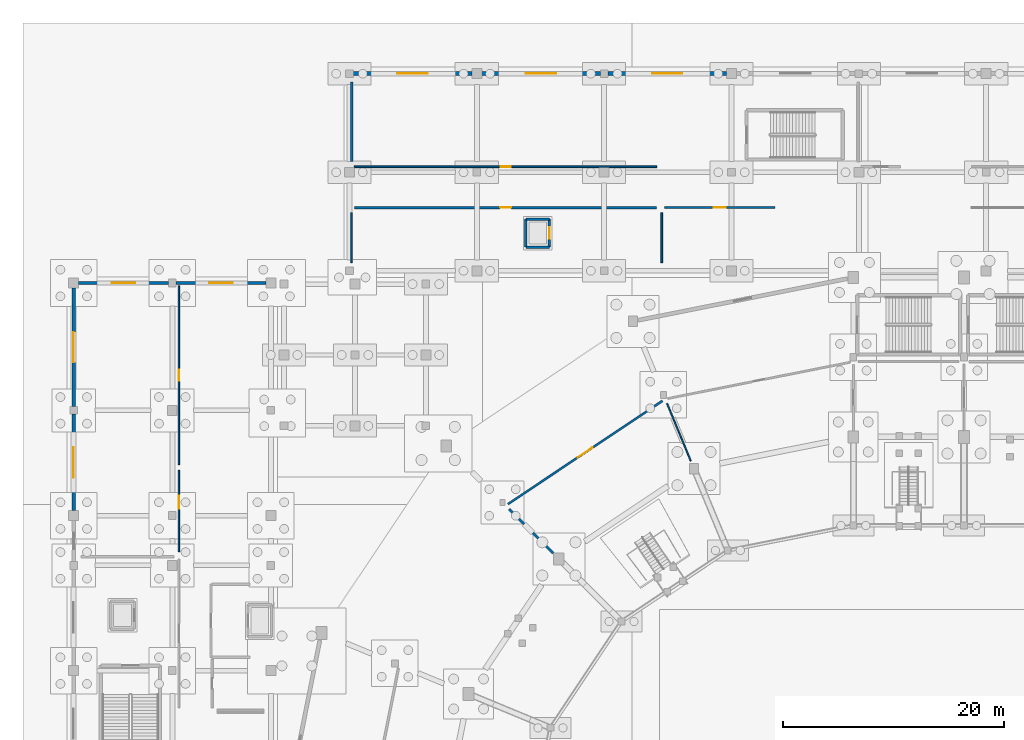
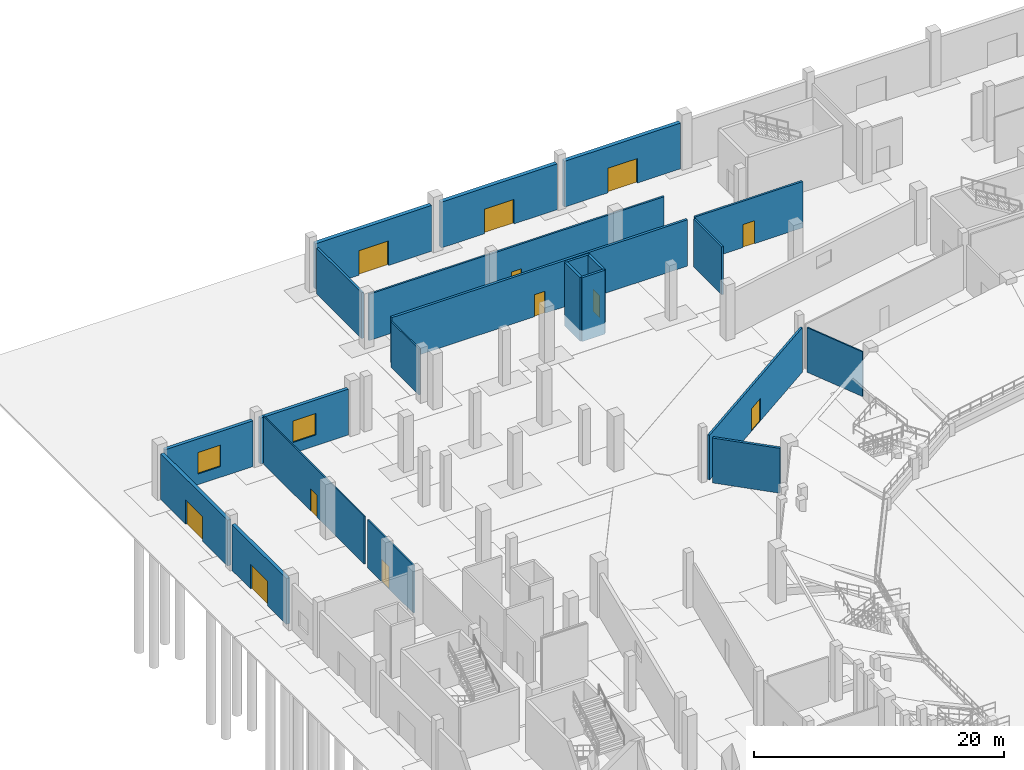
# One storey, part 37 of 68: 22 walls, 12 doors, 2 windows, 14 openings.
"""IFC4 building model written with IfcOpenShell, lengths in metres."""

from ifc_helpers import new_model, si_unit, direction, frame, frame_2d, origin, place, context, subcontext, project, spatial, rectangle, extrude, material, layer, layer_set, type_object, element, fill, save


model = new_model("IFC4")

# Units and contexts
model_context = context("Model", 3, precision=1e-05, world=origin(), true_north=direction((0.0, 1.0)))
body_context = subcontext(model_context, "Body", "Model", "MODEL_VIEW")
ifc_project = project(units=[si_unit("LENGTHUNIT", "METRE"), si_unit("AREAUNIT", "SQUARE_METRE"), si_unit("VOLUMEUNIT", "CUBIC_METRE"), si_unit("PLANEANGLEUNIT", "RADIAN"), si_unit("MASSUNIT", "GRAM", prefix="KILO")], contexts=[model_context])

# Site, building, storey
site_placement = place(None, origin())
site = spatial("IfcSite", under=ifc_project, at=site_placement, CompositionType="ELEMENT")
building_placement = place(site_placement, origin())
building = spatial("IfcBuilding", under=site, at=building_placement, Name="Candeia Ridge Stadium", CompositionType="ELEMENT")
storey_placement = place(building_placement, origin())
storey = spatial("IfcBuildingStorey", under=building, at=storey_placement, Name="L00", CompositionType="ELEMENT", Elevation=0.0)

# Wall, opening, door
ifc_material_1 = material(Name="Concrete Masonry Blockwork C25/30", Category="masonry")
ifc_layer_1 = layer(ifc_material_1, 0.14990234375, Name="Concrete Masonry Blockwork C25/30", Category="masonry")
ifc_layer_set_1 = layer_set([ifc_layer_1], Name="Concrete Masonry Blockwork C25/30")
wall_type_1 = type_object("IfcWallType", Name="Concourse Kiosk Partition 150", PredefinedType="PARTITIONING", material=ifc_layer_set_1)
wall_1_placement = place(storey_placement, frame((10.10009765625, 129.570068359375, 0.0), z_axis=(0.0, 0.0, 1.0), x_axis=(0.0, -1.0, 0.0)))
wall_1 = element("IfcWall", 1, at=wall_1_placement, inside=storey, type_object=wall_type_1, Name="Interior partition PT-L00-0020", PredefinedType="PARTITIONING", context=body_context, shape_type="SweptSolid", body=[
    extrude(rectangle(XDim=7.338134765625, YDim=0.14990234375, at=frame_2d((3.6689453125, 0.0))), origin(), (0.0, 0.0, 1.0), 4.66796875),
])
opening_1_placement = place(wall_1_placement, frame((2.2939453125, 0.0, 0.0)))
opening_1 = element("IfcOpeningElement", 2, at=opening_1_placement, cuts=wall_1, Name="Opening ID02", PredefinedType="OPENING", context=body_context, shape_type="SweptSolid", body=[
    extrude(rectangle(XDim=1.14990234375, YDim=2.199951171875, at=frame_2d((0.574951171875, 1.10009765625))), frame((0.0, 0.0849609375, 0.0), z_axis=(0.0, -1.0, 0.0), x_axis=(1.0, 0.0, 0.0)), (0.0, 0.0, 1.0), 0.169921875),
])
ifc_material_2 = material(Name="Acoustic Timber Studio Leaf", Category="wood")
door_type_1 = type_object("IfcDoorType", Name="Broadcast & Press Studio Door 1150x2200", OperationType="NOTDEFINED", PredefinedType="DOOR", material=ifc_material_2)
door_1_placement = place(opening_1_placement, frame((1.14990234375, 0.0, 0.0), z_axis=(0.0, 0.0, 1.0), x_axis=(-1.0, 0.0, 0.0)))
door_1 = element("IfcDoor", 3, at=door_1_placement, inside=storey, type_object=door_type_1, Name="Interior room door D-L00-0011", OperationType="SINGLE_SWING_RIGHT", OverallHeight=2.199951171875, OverallWidth=1.14990234375, PredefinedType="DOOR", context=body_context, shape_type="SweptSolid", body=[
    extrude(rectangle(XDim=1.14990234375, YDim=2.199951171875, at=frame_2d((0.574951171875, 1.10009765625))), frame((0.0, 0.02490234375, 0.0), z_axis=(0.0, -1.0, 0.0), x_axis=(1.0, 0.0, 0.0)), (0.0, 0.0, 1.0), 0.050048828125),
])
fill(opening_1, door_1)

ifc_material_3 = material(Name="Moisture-Resistant Masonry & Tile", Category="masonry")
ifc_layer_2 = layer(ifc_material_3, 0.22998046875, Name="Moisture-Resistant Masonry & Tile", Category="masonry")
ifc_layer_set_2 = layer_set([ifc_layer_2], Name="Moisture-Resistant Masonry & Tile")
wall_type_2 = type_object("IfcWallType", Name="Dressing Suite Wet-Wall Chase 230", PredefinedType="PLUMBINGWALL", material=ifc_layer_set_2)
wall_2_placement = place(storey_placement, frame((25.949951171875, 153.300048828125, 0.0), z_axis=(0.0, 0.0, 1.0), x_axis=(1.0, 0.0, 0.0)))
wall_2 = element("IfcWall", 4, at=wall_2_placement, inside=storey, type_object=wall_type_2, Name="Interior partition PT-L00-0083", PredefinedType="PLUMBINGWALL", context=body_context, shape_type="SweptSolid", body=[
    extrude(rectangle(XDim=27.300048828125, YDim=0.22998046875, at=frame_2d((13.64990234375, 0.0))), origin(), (0.0, 0.0, 1.0), 4.52490234375),
])
opening_2_placement = place(wall_2_placement, frame((13.14990234375, 0.0, 0.0)))
opening_2 = element("IfcOpeningElement", 5, at=opening_2_placement, cuts=wall_2, Name="Opening ID04", PredefinedType="OPENING", context=body_context, shape_type="SweptSolid", body=[
    extrude(rectangle(XDim=1.0, YDim=2.14990234375, at=frame_2d((0.5, 1.074951171875))), frame((0.0, 0.125, 0.0), z_axis=(0.0, -1.0, 0.0), x_axis=(1.0, 0.0, 0.0)), (0.0, 0.0, 1.0), 0.25),
])
ifc_material_4 = material(Name="Powder-Coated Hollow Metal", Category="steel")
door_type_2 = type_object("IfcDoorType", Name="Concourse Kiosk Service Door 1000x2150", OperationType="NOTDEFINED", PredefinedType="DOOR", material=ifc_material_4)
door_2_placement = place(opening_2_placement, origin())
door_2 = element("IfcDoor", 6, at=door_2_placement, inside=storey, type_object=door_type_2, Name="Interior room door D-L00-0045", OperationType="SINGLE_SWING_RIGHT", OverallHeight=2.14990234375, OverallWidth=1.0, PredefinedType="DOOR", context=body_context, shape_type="SweptSolid", body=[
    extrude(rectangle(XDim=1.0, YDim=2.14990234375, at=frame_2d((0.5, 1.074951171875))), frame((0.0, 0.02490234375, 0.0), z_axis=(0.0, -1.0, 0.0), x_axis=(1.0, 0.0, 0.0)), (0.0, 0.0, 1.0), 0.050048828125),
])
fill(opening_2, door_2)

# Wall
wall_3_placement = place(storey_placement, frame((43.882568359375, 122.117431640625, 0.0), z_axis=(0.0, 0.0, 1.0), x_axis=(-0.707106781187, 0.707106781187, 0.0)))
element("IfcWall", 7, at=wall_3_placement, inside=storey, type_object=wall_type_2, Name="Demising partition PT-L00-0129", PredefinedType="PLUMBINGWALL", context=body_context, shape_type="SweptSolid", body=[
    extrude(rectangle(XDim=5.600341796875, YDim=0.22998046875, at=frame_2d((2.80029296875, 0.0))), origin(), (0.0, 0.0, 1.0), 4.385009765625),
])

# Wall, opening, door
ifc_material_5 = material(Name="Concrete C40/50", Category="concrete")
ifc_layer_3 = layer(ifc_material_5, 0.360107421875, Name="Concrete C40/50", Category="concrete")
ifc_layer_set_3 = layer_set([ifc_layer_3], Name="Concrete C40/50")
wall_type_3 = type_object("IfcWallType", Name="Exterior Basalt Plinth Wall 360", PredefinedType="SOLIDWALL", material=ifc_layer_set_3)
wall_4_placement = place(storey_placement, frame((25.837890625, 165.39990234375, 0.0), z_axis=(0.0, 0.0, 1.0), x_axis=(1.0, 0.0, 0.0)))
wall_4 = element("IfcWall", 8, at=wall_4_placement, inside=storey, type_object=wall_type_3, Name="Exterior facade wall EW-L00-0188", PredefinedType="SOLIDWALL", context=body_context, shape_type="SweptSolid", body=[
    extrude(rectangle(XDim=10.72412109375, YDim=0.360107421875, at=frame_2d((5.362060546875, 0.0))), origin(), (0.0, 0.0, 1.0), 4.47509765625),
])
opening_3_placement = place(wall_4_placement, frame((3.987060546875, 0.0, 0.0)))
opening_3 = element("IfcOpeningElement", 9, at=opening_3_placement, cuts=wall_4, Name="Opening ED01", PredefinedType="OPENING", context=body_context, shape_type="SweptSolid", body=[
    extrude(rectangle(XDim=2.75, YDim=2.39990234375, at=frame_2d((1.375, 1.199951171875))), frame((0.0, 0.18994140625, 0.0), z_axis=(0.0, -1.0, 0.0), x_axis=(1.0, 0.0, 0.0)), (0.0, 0.0, 1.0), 0.380126953125),
])
ifc_material_6 = material(Name="Aluminium Anodized Glazed Door", Category="aluminium")
door_type_3 = type_object("IfcDoorType", Name="Pedestrian Exit Double Door 2750x2400", OperationType="NOTDEFINED", PredefinedType="DOOR", material=ifc_material_6)
door_3_placement = place(opening_3_placement, origin())
door_3 = element("IfcDoor", 10, at=door_3_placement, inside=storey, type_object=door_type_3, Name="Pedestrian exit gate G29", OperationType="DOUBLE_DOOR_SINGLE_SWING", OverallHeight=2.39990234375, OverallWidth=2.75, PredefinedType="DOOR", context=body_context, shape_type="SweptSolid", body=[
    extrude(rectangle(XDim=2.75, YDim=2.39990234375, at=frame_2d((1.375, 1.199951171875))), frame((0.0, 0.02490234375, 0.0), z_axis=(0.0, -1.0, 0.0), x_axis=(1.0, 0.0, 0.0)), (0.0, 0.0, 1.0), 0.050048828125),
])
fill(opening_3, door_3)

wall_5_placement = place(storey_placement, frame((37.43798828125, 165.39990234375, 0.0), z_axis=(0.0, 0.0, 1.0), x_axis=(1.0, 0.0, 0.0)))
wall_5 = element("IfcWall", 11, at=wall_5_placement, inside=storey, type_object=wall_type_3, Name="Exterior facade wall EW-L00-0189", PredefinedType="SOLIDWALL", context=body_context, shape_type="SweptSolid", body=[
    extrude(rectangle(XDim=10.72412109375, YDim=0.360107421875, at=frame_2d((5.362060546875, 0.0))), origin(), (0.0, 0.0, 1.0), 4.47509765625),
])
opening_4_placement = place(wall_5_placement, frame((3.987060546875, 0.0, 0.0)))
opening_4 = element("IfcOpeningElement", 12, at=opening_4_placement, cuts=wall_5, Name="Opening ED01", PredefinedType="OPENING", context=body_context, shape_type="SweptSolid", body=[
    extrude(rectangle(XDim=2.75, YDim=2.39990234375, at=frame_2d((1.375, 1.199951171875))), frame((0.0, 0.18994140625, 0.0), z_axis=(0.0, -1.0, 0.0), x_axis=(1.0, 0.0, 0.0)), (0.0, 0.0, 1.0), 0.380126953125),
])
door_4_placement = place(opening_4_placement, origin())
door_4 = element("IfcDoor", 13, at=door_4_placement, inside=storey, type_object=door_type_3, Name="Pedestrian exit gate G30", OperationType="DOUBLE_DOOR_SINGLE_SWING", OverallHeight=2.39990234375, OverallWidth=2.75, PredefinedType="DOOR", context=body_context, shape_type="SweptSolid", body=[
    extrude(rectangle(XDim=2.75, YDim=2.39990234375, at=frame_2d((1.375, 1.199951171875))), frame((0.0, 0.02490234375, 0.0), z_axis=(0.0, -1.0, 0.0), x_axis=(1.0, 0.0, 0.0)), (0.0, 0.0, 1.0), 0.050048828125),
])
fill(opening_4, door_4)

wall_6_placement = place(storey_placement, frame((48.837890625, 165.39990234375, 0.0), z_axis=(0.0, 0.0, 1.0), x_axis=(1.0, 0.0, 0.0)))
wall_6 = element("IfcWall", 14, at=wall_6_placement, inside=storey, type_object=wall_type_3, Name="Exterior facade wall EW-L00-0190", PredefinedType="SOLIDWALL", context=body_context, shape_type="SweptSolid", body=[
    extrude(rectangle(XDim=10.72412109375, YDim=0.360107421875, at=frame_2d((5.362060546875, 0.0))), origin(), (0.0, 0.0, 1.0), 4.47509765625),
])
opening_5_placement = place(wall_6_placement, frame((3.987060546875, 0.0, 0.0)))
opening_5 = element("IfcOpeningElement", 15, at=opening_5_placement, cuts=wall_6, Name="Opening ED01", PredefinedType="OPENING", context=body_context, shape_type="SweptSolid", body=[
    extrude(rectangle(XDim=2.75, YDim=2.39990234375, at=frame_2d((1.375, 1.199951171875))), frame((0.0, 0.18994140625, 0.0), z_axis=(0.0, -1.0, 0.0), x_axis=(1.0, 0.0, 0.0)), (0.0, 0.0, 1.0), 0.380126953125),
])
door_5_placement = place(opening_5_placement, origin())
door_5 = element("IfcDoor", 16, at=door_5_placement, inside=storey, type_object=door_type_3, Name="Pedestrian exit gate G31", OperationType="DOUBLE_DOOR_SINGLE_SWING", OverallHeight=2.39990234375, OverallWidth=2.75, PredefinedType="DOOR", context=body_context, shape_type="SweptSolid", body=[
    extrude(rectangle(XDim=2.75, YDim=2.39990234375, at=frame_2d((1.375, 1.199951171875))), frame((0.0, 0.02490234375, 0.0), z_axis=(0.0, -1.0, 0.0), x_axis=(1.0, 0.0, 0.0)), (0.0, 0.0, 1.0), 0.050048828125),
])
fill(opening_5, door_5)

ifc_material_7 = material(Name="Concrete C35/45", Category="concrete")
ifc_layer_4 = layer(ifc_material_7, 0.320068359375, Name="Concrete C35/45", Category="concrete")
ifc_layer_set_4 = layer_set([ifc_layer_4], Name="Concrete C35/45")
wall_type_4 = type_object("IfcWallType", Name="Exterior Cedar-Clad Insulated Wall 320", PredefinedType="SOLIDWALL", material=ifc_layer_set_4)
wall_7_placement = place(storey_placement, frame((0.60009765625, 125.93798828125, 0.0), z_axis=(0.0, 0.0, 1.0), x_axis=(0.0, 1.0, 0.0)))
wall_7 = element("IfcWall", 17, at=wall_7_placement, inside=storey, type_object=wall_type_4, Name="Exterior facade wall EW-L00-0057", PredefinedType="SOLIDWALL", context=body_context, shape_type="SweptSolid", body=[
    extrude(rectangle(XDim=8.72412109375, YDim=0.320068359375, at=frame_2d((4.362060546875, 0.0))), origin(), (0.0, 0.0, 1.0), 4.47509765625),
])
opening_6_placement = place(wall_7_placement, frame((2.987060546875, 0.0, 0.0)))
opening_6 = element("IfcOpeningElement", 18, at=opening_6_placement, cuts=wall_7, Name="Opening ED01", PredefinedType="OPENING", context=body_context, shape_type="SweptSolid", body=[
    extrude(rectangle(XDim=2.75, YDim=2.39990234375, at=frame_2d((1.375, 1.199951171875))), frame((0.0, 0.169921875, 0.0), z_axis=(0.0, -1.0, 0.0), x_axis=(1.0, 0.0, 0.0)), (0.0, 0.0, 1.0), 0.340087890625),
])
door_6_placement = place(opening_6_placement, origin())
door_6 = element("IfcDoor", 19, at=door_6_placement, inside=storey, type_object=door_type_3, Name="Pedestrian exit gate G07", OperationType="DOUBLE_DOOR_SINGLE_SWING", OverallHeight=2.39990234375, OverallWidth=2.75, PredefinedType="DOOR", context=body_context, shape_type="SweptSolid", body=[
    extrude(rectangle(XDim=2.75, YDim=2.39990234375, at=frame_2d((1.375, 1.199951171875))), frame((0.0, 0.02490234375, 0.0), z_axis=(0.0, -1.0, 0.0), x_axis=(1.0, 0.0, 0.0)), (0.0, 0.0, 1.0), 0.050048828125),
])
fill(opening_6, door_6)

wall_8_placement = place(storey_placement, frame((0.60009765625, 135.337890625, 0.0), z_axis=(0.0, 0.0, 1.0), x_axis=(0.0, 1.0, 0.0)))
wall_8 = element("IfcWall", 20, at=wall_8_placement, inside=storey, type_object=wall_type_4, Name="Exterior facade wall EW-L00-0058", PredefinedType="SOLIDWALL", context=body_context, shape_type="SweptSolid", body=[
    extrude(rectangle(XDim=10.72412109375, YDim=0.320068359375, at=frame_2d((5.362060546875, 0.0))), origin(), (0.0, 0.0, 1.0), 4.47509765625),
])
opening_7_placement = place(wall_8_placement, frame((3.987060546875, 0.0, 0.0)))
opening_7 = element("IfcOpeningElement", 21, at=opening_7_placement, cuts=wall_8, Name="Opening ED01", PredefinedType="OPENING", context=body_context, shape_type="SweptSolid", body=[
    extrude(rectangle(XDim=2.75, YDim=2.39990234375, at=frame_2d((1.375, 1.199951171875))), frame((0.0, 0.169921875, 0.0), z_axis=(0.0, -1.0, 0.0), x_axis=(1.0, 0.0, 0.0)), (0.0, 0.0, 1.0), 0.340087890625),
])
door_7_placement = place(opening_7_placement, origin())
door_7 = element("IfcDoor", 22, at=door_7_placement, inside=storey, type_object=door_type_3, Name="Pedestrian exit gate G08", OperationType="DOUBLE_DOOR_SINGLE_SWING", OverallHeight=2.39990234375, OverallWidth=2.75, PredefinedType="DOOR", context=body_context, shape_type="SweptSolid", body=[
    extrude(rectangle(XDim=2.75, YDim=2.39990234375, at=frame_2d((1.375, 1.199951171875))), frame((0.0, 0.02490234375, 0.0), z_axis=(0.0, -1.0, 0.0), x_axis=(1.0, 0.0, 0.0)), (0.0, 0.0, 1.0), 0.050048828125),
])
fill(opening_7, door_7)

# Wall, opening, window
ifc_layer_5 = layer(ifc_material_7, 0.300048828125, Name="Concrete C35/45", Category="concrete")
ifc_layer_set_5 = layer_set([ifc_layer_5], Name="Concrete C35/45")
wall_type_5 = type_object("IfcWallType", Name="Exterior Pavilion Rainscreen Wall 300", PredefinedType="SOLIDWALL", material=ifc_layer_set_5)
wall_9_placement = place(storey_placement, frame((1.0380859375, 146.5, 0.0), z_axis=(0.0, 0.0, 1.0), x_axis=(1.0, 0.0, 0.0)))
wall_9 = element("IfcWall", 23, at=wall_9_placement, inside=storey, type_object=wall_type_5, Name="Exterior facade wall EW-L00-0061", PredefinedType="SOLIDWALL", context=body_context, shape_type="SweptSolid", body=[
    extrude(rectangle(XDim=8.1240234375, YDim=0.300048828125, at=frame_2d((4.06201171875, 0.0))), origin(), (0.0, 0.0, 1.0), 4.47509765625),
])
opening_8_placement = place(wall_9_placement, frame((3.011962890625, 0.0, 1.050048828125)))
opening_8 = element("IfcOpeningElement", 24, at=opening_8_placement, cuts=wall_9, Name="Opening W04", PredefinedType="OPENING", context=body_context, shape_type="SweptSolid", body=[
    extrude(rectangle(XDim=2.10009765625, YDim=2.10009765625, at=frame_2d((1.050048828125, 1.050048828125))), frame((0.0, 0.159912109375, 0.0), z_axis=(0.0, -1.0, 0.0), x_axis=(1.0, 0.0, 0.0)), (0.0, 0.0, 1.0), 0.320068359375),
])
ifc_material_8 = material(Name="Tempered Solar-Control Double Glazing", Category="glass")
window_type = type_object("IfcWindowType", Name="Hospitality Ribbon Window 2100x2100", PartitioningType="SINGLE_PANEL", PredefinedType="WINDOW", material=ifc_material_8)
window_1_placement = place(opening_8_placement, origin())
window_1 = element("IfcWindow", 25, at=window_1_placement, inside=storey, type_object=window_type, Name="Exterior window WIN-L00-017", OverallHeight=2.10009765625, OverallWidth=2.10009765625, PartitioningType="SINGLE_PANEL", PredefinedType="WINDOW", context=body_context, shape_type="SweptSolid", body=[
    extrude(rectangle(XDim=2.10009765625, YDim=2.10009765625, at=frame_2d((1.050048828125, 1.050048828125))), frame((0.0, 0.030029296875, 0.0), z_axis=(0.0, -1.0, 0.0), x_axis=(1.0, 0.0, 0.0)), (0.0, 0.0, 1.0), 0.06005859375),
])
fill(opening_8, window_1)

wall_10_placement = place(storey_placement, frame((9.837890625, 146.5, 0.0), z_axis=(0.0, 0.0, 1.0), x_axis=(1.0, 0.0, 0.0)))
wall_10 = element("IfcWall", 26, at=wall_10_placement, inside=storey, type_object=wall_type_5, Name="Exterior facade wall EW-L00-0062", PredefinedType="SOLIDWALL", context=body_context, shape_type="SweptSolid", body=[
    extrude(rectangle(XDim=8.1240234375, YDim=0.300048828125, at=frame_2d((4.06201171875, 0.0))), origin(), (0.0, 0.0, 1.0), 4.47509765625),
])
opening_9_placement = place(wall_10_placement, frame((3.011962890625, 0.0, 1.050048828125)))
opening_9 = element("IfcOpeningElement", 27, at=opening_9_placement, cuts=wall_10, Name="Opening W04", PredefinedType="OPENING", context=body_context, shape_type="SweptSolid", body=[
    extrude(rectangle(XDim=2.10009765625, YDim=2.10009765625, at=frame_2d((1.050048828125, 1.050048828125))), frame((0.0, 0.159912109375, 0.0), z_axis=(0.0, -1.0, 0.0), x_axis=(1.0, 0.0, 0.0)), (0.0, 0.0, 1.0), 0.320068359375),
])
window_2_placement = place(opening_9_placement, origin())
window_2 = element("IfcWindow", 28, at=window_2_placement, inside=storey, type_object=window_type, Name="Exterior window WIN-L00-018", OverallHeight=2.10009765625, OverallWidth=2.10009765625, PartitioningType="SINGLE_PANEL", PredefinedType="WINDOW", context=body_context, shape_type="SweptSolid", body=[
    extrude(rectangle(XDim=2.10009765625, YDim=2.10009765625, at=frame_2d((1.050048828125, 1.050048828125))), frame((0.0, 0.030029296875, 0.0), z_axis=(0.0, -1.0, 0.0), x_axis=(1.0, 0.0, 0.0)), (0.0, 0.0, 1.0), 0.06005859375),
])
fill(opening_9, window_2)

# Walls
ifc_material_9 = material(Name="Gypsum Metal-Stud Partition", Category="gypsum")
ifc_layer_6 = layer(ifc_material_9, 0.135009765625, Name="Gypsum Metal-Stud Partition", Category="gypsum")
ifc_layer_set_6 = layer_set([ifc_layer_6], Name="Gypsum Metal-Stud Partition")
wall_type_6 = type_object("IfcWallType", Name="General Room Partition 135", PredefinedType="PARTITIONING", material=ifc_layer_set_6)
wall_11_placement = place(storey_placement, frame((25.699951171875, 148.35009765625, 0.0), z_axis=(0.0, 0.0, 1.0), x_axis=(0.0, 1.0, 0.0)))
element("IfcWall", 29, at=wall_11_placement, inside=storey, type_object=wall_type_6, Name="Demising partition PT-L00-0084", PredefinedType="PARTITIONING", context=body_context, shape_type="SweptSolid", body=[
    extrude(rectangle(XDim=4.5, YDim=0.135009765625, at=frame_2d((2.25, 0.0))), origin(), (0.0, 0.0, 1.0), 4.47509765625),
])
ifc_layer_7 = layer(ifc_material_5, 0.219970703125, Name="Concrete C40/50", Category="concrete")
ifc_layer_set_7 = layer_set([ifc_layer_7], Name="Concrete C40/50")
wall_type_7 = type_object("IfcWallType", Name="Lift & Riser Shaft Wall 220", PredefinedType="SHEAR", material=ifc_layer_set_7)
wall_12_placement = place(storey_placement, frame((41.43994140625, 149.739990234375, -1.10009765625), z_axis=(0.0, 0.0, 1.0), x_axis=(1.0, 0.0, 0.0)))
element("IfcWall", 30, at=wall_12_placement, inside=storey, type_object=wall_type_7, Name="Lift PL7 shaft wall L00 south", PredefinedType="SHEAR", context=body_context, shape_type="SweptSolid", body=[
    extrude(rectangle(XDim=2.1201171875, YDim=0.219970703125, at=frame_2d((1.06005859375, 0.0))), origin(), (0.0, 0.0, 1.0), 6.239990234375),
])

# Wall, opening, door
wall_13_placement = place(storey_placement, frame((43.56005859375, 149.739990234375, -1.10009765625), z_axis=(0.0, 0.0, 1.0), x_axis=(0.0, 1.0, 0.0)))
wall_13 = element("IfcWall", 31, at=wall_13_placement, inside=storey, type_object=wall_type_7, Name="Lift PL7 shaft wall L00 east", PredefinedType="SHEAR", context=body_context, shape_type="SweptSolid", body=[
    extrude(rectangle(XDim=2.52001953125, YDim=0.219970703125, at=frame_2d((1.260009765625, 0.0))), origin(), (0.0, 0.0, 1.0), 6.239990234375),
])
opening_10_placement = place(wall_13_placement, frame((0.735107421875, 0.0, 1.10009765625)))
opening_10 = element("IfcOpeningElement", 32, at=opening_10_placement, cuts=wall_13, Name="Opening LD02", PredefinedType="OPENING", context=body_context, shape_type="SweptSolid", body=[
    extrude(rectangle(XDim=1.050048828125, YDim=2.14990234375, at=frame_2d((0.52490234375, 1.074951171875))), frame((0.0, 0.119873046875, 0.0), z_axis=(0.0, -1.0, 0.0), x_axis=(1.0, 0.0, 0.0)), (0.0, 0.0, 1.0), 0.239990234375),
])
ifc_material_10 = material(Name="Brushed Stainless Steel", Category="steel")
door_type_4 = type_object("IfcDoorType", Name="Passenger Lift Landing Door 1050x2150", OperationType="NOTDEFINED", PredefinedType="DOOR", material=ifc_material_10)
door_8_placement = place(opening_10_placement, origin())
door_8 = element("IfcDoor", 33, at=door_8_placement, inside=storey, type_object=door_type_4, Name="Lift landing sliding door LD-PL7-L00", OperationType="DOUBLE_DOOR_SLIDING", OverallHeight=2.14990234375, OverallWidth=1.050048828125, PredefinedType="DOOR", context=body_context, shape_type="SweptSolid", body=[
    extrude(rectangle(XDim=1.050048828125, YDim=2.14990234375, at=frame_2d((0.52490234375, 1.074951171875))), frame((0.0, 0.02490234375, 0.0), z_axis=(0.0, -1.0, 0.0), x_axis=(1.0, 0.0, 0.0)), (0.0, 0.0, 1.0), 0.050048828125),
])
fill(opening_10, door_8)

# Walls
wall_14_placement = place(storey_placement, frame((43.56005859375, 152.260009765625, -1.10009765625), z_axis=(0.0, 0.0, 1.0), x_axis=(-1.0, 0.0, 0.0)))
element("IfcWall", 34, at=wall_14_placement, inside=storey, type_object=wall_type_7, Name="Lift PL7 shaft wall L00 north", PredefinedType="SHEAR", context=body_context, shape_type="SweptSolid", body=[
    extrude(rectangle(XDim=2.1201171875, YDim=0.219970703125, at=frame_2d((1.06005859375, 0.0))), origin(), (0.0, 0.0, 1.0), 6.239990234375),
])
wall_15_placement = place(storey_placement, frame((41.43994140625, 152.260009765625, -1.10009765625), z_axis=(0.0, 0.0, 1.0), x_axis=(0.0, -1.0, 0.0)))
element("IfcWall", 35, at=wall_15_placement, inside=storey, type_object=wall_type_7, Name="Lift PL7 shaft wall L00 west", PredefinedType="SHEAR", context=body_context, shape_type="SweptSolid", body=[
    extrude(rectangle(XDim=2.52001953125, YDim=0.219970703125, at=frame_2d((1.260009765625, 0.0))), origin(), (0.0, 0.0, 1.0), 6.239990234375),
])

# Wall, opening, door
ifc_material_11 = material(Name="Gypsum Acoustic Triple-Board Wall", Category="gypsum")
ifc_layer_8 = layer(ifc_material_11, 0.18994140625, Name="Gypsum Acoustic Triple-Board Wall", Category="gypsum")
ifc_layer_set_8 = layer_set([ifc_layer_8], Name="Gypsum Acoustic Triple-Board Wall")
wall_type_8 = type_object("IfcWallType", Name="Media & Commentary Studio Wall 190", PredefinedType="PARTITIONING", material=ifc_layer_set_8)
wall_16_placement = place(storey_placement, frame((39.8125, 126.534423828125, 0.0), z_axis=(0.0, 0.0, 1.0), x_axis=(0.831467963177, 0.555572701103, 0.0)))
wall_16 = element("IfcWall", 36, at=wall_16_placement, inside=storey, type_object=wall_type_8, Name="Interior partition PT-L00-0128", PredefinedType="PARTITIONING", context=body_context, shape_type="SweptSolid", body=[
    extrude(rectangle(XDim=16.782958984375, YDim=0.18994140625, at=frame_2d((8.3916015625, 0.0))), origin(), (0.0, 0.0, 1.0), 4.364990234375),
])
opening_11_placement = place(wall_16_placement, frame((7.591552734375, 0.0, 0.0)))
opening_11 = element("IfcOpeningElement", 37, at=opening_11_placement, cuts=wall_16, Name="Opening ID03", PredefinedType="OPENING", context=body_context, shape_type="SweptSolid", body=[
    extrude(rectangle(XDim=1.60009765625, YDim=2.199951171875, at=frame_2d((0.800048828125, 1.10009765625))), frame((0.0, 0.10498046875, 0.0), z_axis=(0.0, -1.0, 0.0), x_axis=(1.0, 0.0, 0.0)), (0.0, 0.0, 1.0), 0.2099609375),
])
ifc_material_12 = material(Name="Solid Core Hardwood Veneer", Category="wood")
door_type_5 = type_object("IfcDoorType", Name="Athlete Dressing Double Door 1600x2200", OperationType="NOTDEFINED", PredefinedType="DOOR", material=ifc_material_12)
door_9_placement = place(opening_11_placement, origin())
door_9 = element("IfcDoor", 38, at=door_9_placement, inside=storey, type_object=door_type_5, Name="Interior room door D-L00-0068", OperationType="DOUBLE_DOOR_SINGLE_SWING", OverallHeight=2.199951171875, OverallWidth=1.60009765625, PredefinedType="DOOR", context=body_context, shape_type="SweptSolid", body=[
    extrude(rectangle(XDim=1.60009765625, YDim=2.199951171875, at=frame_2d((0.800048828125, 1.10009765625))), frame((0.0, 0.02490234375, 0.0), z_axis=(0.0, -1.0, 0.0), x_axis=(1.0, 0.0, 0.0)), (0.0, 0.0, 1.0), 0.050048828125),
])
fill(opening_11, door_9)

ifc_layer_9 = layer(ifc_material_11, 0.18505859375, Name="Gypsum Acoustic Triple-Board Wall", Category="gypsum")
ifc_layer_set_9 = layer_set([ifc_layer_9], Name="Gypsum Acoustic Triple-Board Wall")
wall_type_9 = type_object("IfcWallType", Name="Media Booth Studio Divider 185", PredefinedType="PARTITIONING", material=ifc_layer_set_9)
wall_17_placement = place(storey_placement, frame((53.949951171875, 153.300048828125, 0.0), z_axis=(0.0, 0.0, 1.0), x_axis=(1.0, 0.0, 0.0)))
wall_17 = element("IfcWall", 39, at=wall_17_placement, inside=storey, type_object=wall_type_9, Name="Interior partition PT-L00-0087", PredefinedType="PARTITIONING", context=body_context, shape_type="SweptSolid", body=[
    extrude(rectangle(XDim=9.9599609375, YDim=0.18505859375, at=frame_2d((4.97998046875, 0.0))), origin(), (0.0, 0.0, 1.0), 4.52490234375),
])
opening_12_placement = place(wall_17_placement, frame((4.43994140625, 0.0, 0.0)))
opening_12 = element("IfcOpeningElement", 40, at=opening_12_placement, cuts=wall_17, Name="Opening ID08", PredefinedType="OPENING", context=body_context, shape_type="SweptSolid", body=[
    extrude(rectangle(XDim=1.080078125, YDim=2.25, at=frame_2d((0.5400390625, 1.125))), frame((0.0, 0.1025390625, 0.0), z_axis=(0.0, -1.0, 0.0), x_axis=(1.0, 0.0, 0.0)), (0.0, 0.0, 1.0), 0.205078125),
])
ifc_material_13 = material(Name="Western Red Cedar Acoustic Veneer", Category="wood")
door_type_6 = type_object("IfcDoorType", Name="Executive Skybox Entry Door 1080x2250", OperationType="NOTDEFINED", PredefinedType="DOOR", material=ifc_material_13)
door_10_placement = place(opening_12_placement, frame((1.080078125, 0.0, 0.0), z_axis=(0.0, 0.0, 1.0), x_axis=(-1.0, 0.0, 0.0)))
door_10 = element("IfcDoor", 41, at=door_10_placement, inside=storey, type_object=door_type_6, Name="Interior room door D-L00-0047", OperationType="SINGLE_SWING_RIGHT", OverallHeight=2.25, OverallWidth=1.080078125, PredefinedType="DOOR", context=body_context, shape_type="SweptSolid", body=[
    extrude(rectangle(XDim=1.080078125, YDim=2.25, at=frame_2d((0.5400390625, 1.125))), frame((0.0, 0.02490234375, 0.0), z_axis=(0.0, -1.0, 0.0), x_axis=(1.0, 0.0, 0.0)), (0.0, 0.0, 1.0), 0.050048828125),
])
fill(opening_12, door_10)

# Walls
ifc_material_14 = material(Name="Gypsum Acoustic Twin-Stud Assembly", Category="gypsum")
ifc_layer_10 = layer(ifc_material_14, 0.175048828125, Name="Gypsum Acoustic Twin-Stud Assembly", Category="gypsum")
ifc_layer_set_10 = layer_set([ifc_layer_10], Name="Gypsum Acoustic Twin-Stud Assembly")
wall_type_10 = type_object("IfcWallType", Name="Museum Acoustic Gallery Wall 175", PredefinedType="PARTITIONING", material=ifc_layer_set_10)
wall_18_placement = place(storey_placement, frame((53.699951171875, 148.35009765625, 0.0), z_axis=(0.0, 0.0, 1.0), x_axis=(0.0, 1.0, 0.0)))
element("IfcWall", 42, at=wall_18_placement, inside=storey, type_object=wall_type_10, Name="Demising partition PT-L00-0088", PredefinedType="PARTITIONING", context=body_context, shape_type="SweptSolid", body=[
    extrude(rectangle(XDim=4.5, YDim=0.175048828125, at=frame_2d((2.25, 0.0))), origin(), (0.0, 0.0, 1.0), 4.675048828125),
])
ifc_layer_11 = layer(ifc_material_3, 0.2099609375, Name="Moisture-Resistant Masonry & Tile", Category="masonry")
ifc_layer_set_11 = layer_set([ifc_layer_11], Name="Moisture-Resistant Masonry & Tile")
wall_type_11 = type_object("IfcWallType", Name="Sanitary Wet-Wall Plumbing Chase 210", PredefinedType="PLUMBINGWALL", material=ifc_layer_set_11)
wall_19_placement = place(storey_placement, frame((25.699951171875, 157.449951171875, 0.0), z_axis=(0.0, 0.0, 1.0), x_axis=(0.0, 1.0, 0.0)))
element("IfcWall", 43, at=wall_19_placement, inside=storey, type_object=wall_type_11, Name="Demising partition PT-L00-0086", PredefinedType="PLUMBINGWALL", context=body_context, shape_type="SweptSolid", body=[
    extrude(rectangle(XDim=7.199951171875, YDim=0.2099609375, at=frame_2d((3.60009765625, 0.0))), origin(), (0.0, 0.0, 1.0), 4.47509765625),
])

# Wall, opening, door
ifc_layer_12 = layer(ifc_material_14, 0.169921875, Name="Gypsum Acoustic Twin-Stud Assembly", Category="gypsum")
ifc_layer_set_12 = layer_set([ifc_layer_12], Name="Gypsum Acoustic Twin-Stud Assembly")
wall_type_12 = type_object("IfcWallType", Name="Skybox Demising Acoustic Wall 170", PredefinedType="PARTITIONING", material=ifc_layer_set_12)
wall_20_placement = place(storey_placement, frame((53.25, 157.0, 0.0), z_axis=(0.0, 0.0, 1.0), x_axis=(-1.0, 0.0, 0.0)))
wall_20 = element("IfcWall", 44, at=wall_20_placement, inside=storey, type_object=wall_type_12, Name="Interior partition PT-L00-0085", PredefinedType="PARTITIONING", context=body_context, shape_type="SweptSolid", body=[
    extrude(rectangle(XDim=27.300048828125, YDim=0.169921875, at=frame_2d((13.64990234375, 0.0))), origin(), (0.0, 0.0, 1.0), 4.52490234375),
])
opening_13_placement = place(wall_20_placement, frame((13.199951171875, 0.0, 0.0)))
opening_13 = element("IfcOpeningElement", 45, at=opening_13_placement, cuts=wall_20, Name="Opening ID07", PredefinedType="OPENING", context=body_context, shape_type="SweptSolid", body=[
    extrude(rectangle(XDim=0.89990234375, YDim=2.10009765625, at=frame_2d((0.449951171875, 1.050048828125))), frame((0.0, 0.094970703125, 0.0), z_axis=(0.0, -1.0, 0.0), x_axis=(1.0, 0.0, 0.0)), (0.0, 0.0, 1.0), 0.18994140625),
])
ifc_material_15 = material(Name="Moisture-Resistant Laminate", Category="wood")
door_type_7 = type_object("IfcDoorType", Name="Sanitary Lobby Single Door 900x2100", OperationType="NOTDEFINED", PredefinedType="DOOR", material=ifc_material_15)
door_11_placement = place(opening_13_placement, frame((0.89990234375, 0.0, 0.0), z_axis=(0.0, 0.0, 1.0), x_axis=(-1.0, 0.0, 0.0)))
door_11 = element("IfcDoor", 46, at=door_11_placement, inside=storey, type_object=door_type_7, Name="Interior room door D-L00-0046", OperationType="SINGLE_SWING_LEFT", OverallHeight=2.10009765625, OverallWidth=0.89990234375, PredefinedType="DOOR", context=body_context, shape_type="SweptSolid", body=[
    extrude(rectangle(XDim=0.89990234375, YDim=2.10009765625, at=frame_2d((0.449951171875, 1.050048828125))), frame((0.0, 0.02490234375, 0.0), z_axis=(0.0, -1.0, 0.0), x_axis=(1.0, 0.0, 0.0)), (0.0, 0.0, 1.0), 0.050048828125),
])
fill(opening_13, door_11)

ifc_layer_13 = layer(ifc_material_9, 0.1201171875, Name="Gypsum Metal-Stud Partition", Category="gypsum")
ifc_layer_set_13 = layer_set([ifc_layer_13], Name="Gypsum Metal-Stud Partition")
wall_type_13 = type_object("IfcWallType", Name="Suite Internal Divider 120", PredefinedType="PARTITIONING", material=ifc_layer_set_13)
wall_21_placement = place(storey_placement, frame((10.10009765625, 146.25, 0.0), z_axis=(0.0, 0.0, 1.0), x_axis=(0.0, -1.0, 0.0)))
wall_21 = element("IfcWall", 47, at=wall_21_placement, inside=storey, type_object=wall_type_13, Name="Interior partition PT-L00-0021", PredefinedType="PARTITIONING", context=body_context, shape_type="SweptSolid", body=[
    extrude(rectangle(XDim=16.139892578125, YDim=0.1201171875, at=frame_2d((8.06982421875, 0.0))), origin(), (0.0, 0.0, 1.0), 4.66796875),
])
opening_14_placement = place(wall_21_placement, frame((7.570068359375, 0.0, 0.0)))
opening_14 = element("IfcOpeningElement", 48, at=opening_14_placement, cuts=wall_21, Name="Opening ID04", PredefinedType="OPENING", context=body_context, shape_type="SweptSolid", body=[
    extrude(rectangle(XDim=1.0, YDim=2.14990234375, at=frame_2d((0.5, 1.074951171875))), frame((0.0, 0.070068359375, 0.0), z_axis=(0.0, -1.0, 0.0), x_axis=(1.0, 0.0, 0.0)), (0.0, 0.0, 1.0), 0.14013671875),
])
door_12_placement = place(opening_14_placement, origin())
door_12 = element("IfcDoor", 49, at=door_12_placement, inside=storey, type_object=door_type_2, Name="Interior room door D-L00-0012", OperationType="SINGLE_SWING_LEFT", OverallHeight=2.14990234375, OverallWidth=1.0, PredefinedType="DOOR", context=body_context, shape_type="SweptSolid", body=[
    extrude(rectangle(XDim=1.0, YDim=2.14990234375, at=frame_2d((0.5, 1.074951171875))), frame((0.0, 0.02490234375, 0.0), z_axis=(0.0, -1.0, 0.0), x_axis=(1.0, 0.0, 0.0)), (0.0, 0.0, 1.0), 0.050048828125),
])
fill(opening_14, door_12)

# Wall
wall_22_placement = place(storey_placement, frame((56.32421875, 130.4306640625, 0.0), z_axis=(0.0, 0.0, 1.0), x_axis=(-0.382682918336, 0.923879745429, 0.0)))
element("IfcWall", 50, at=wall_22_placement, inside=storey, type_object=wall_type_13, Name="Demising partition PT-L00-0127", PredefinedType="PARTITIONING", context=body_context, shape_type="SweptSolid", body=[
    extrude(rectangle(XDim=5.60009765625, YDim=0.1201171875, at=frame_2d((2.800048828125, 0.0))), origin(), (0.0, 0.0, 1.0), 4.364990234375),
])

save(model, "model.ifc")
